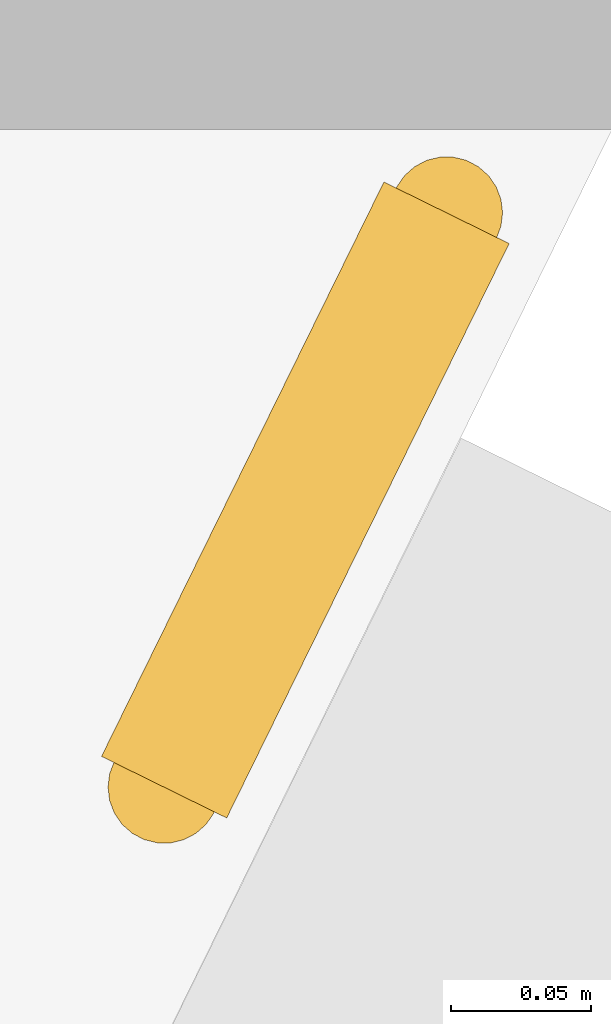
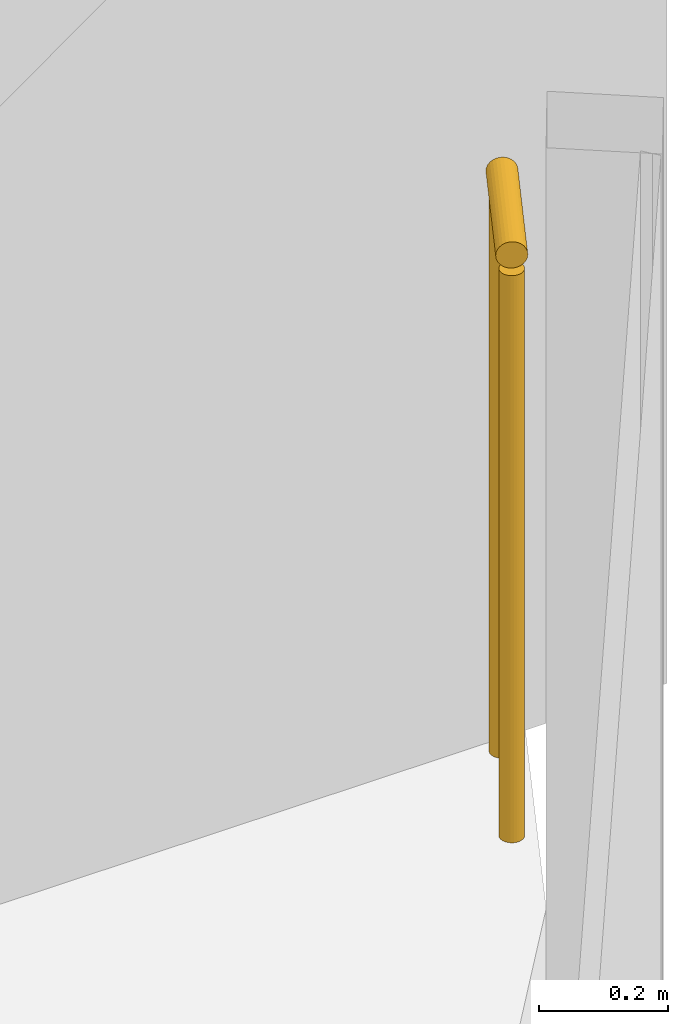
# One storey, part 35 of 38: 1 railing.
"""IFC4 building model written with IfcOpenShell, lengths in metres."""

from ifc_helpers import new_model, si_unit, direction, frame, origin, origin_2d, place, context, subcontext, project, spatial, circle, extrude, material, type_object, element, save


model = new_model("IFC4")

# Units and contexts
model_context = context("Model", 3, precision=1e-05, world=origin(), true_north=direction((0.0, 1.0)))
body_context = subcontext(model_context, "Body", "Model", "MODEL_VIEW")
ifc_project = project(units=[si_unit("LENGTHUNIT", "METRE"), si_unit("AREAUNIT", "SQUARE_METRE"), si_unit("VOLUMEUNIT", "CUBIC_METRE"), si_unit("PLANEANGLEUNIT", "RADIAN"), si_unit("MASSUNIT", "GRAM", prefix="KILO")], contexts=[model_context])

# Site, building, storey
site_placement = place(None, origin())
site = spatial("IfcSite", under=ifc_project, at=site_placement, CompositionType="ELEMENT")
building_placement = place(site_placement, origin())
building = spatial("IfcBuilding", under=site, at=building_placement, Name="Orlundy Tower", CompositionType="ELEMENT")
storey_placement = place(building_placement, frame((0.0, 0.0, 62.300048828125)))
storey = spatial("IfcBuildingStorey", under=building, at=storey_placement, Name="L14", CompositionType="ELEMENT", Elevation=62.300048828125)

# Railing
ifc_material = material(Name="Stainless steel bronze finish", Category="steel")
railing_type = type_object("IfcRailingType", Name="TG1 terrace guard", PredefinedType="GUARDRAIL", material=ifc_material)
railing_placement = place(storey_placement, frame((49.822021484375, -35.700927734375, 0.0)))
element("IfcRailing", 1, at=railing_placement, inside=storey, type_object=railing_type, Name="Guard TG-L14-E00", PredefinedType="GUARDRAIL", context=body_context, shape_type="SweptSolid", body=[
    extrude(circle(Radius=0.02490234375, at=origin_2d()), frame((0.0, 0.0, 1.09521484375), z_axis=(-0.441220934431, -0.897398510707, 0.0), x_axis=(0.897398510707, -0.441220934431, 0.0)), (0.0, 0.0, 1.0), 0.228515625),
    extrude(circle(Radius=0.02001953125, at=origin_2d()), origin(), (0.0, 0.0, 1.0), 1.070068359375),
    extrude(circle(Radius=0.02001953125, at=origin_2d()), frame((-0.100830078125, -0.205078125, 0.0)), (0.0, 0.0, 1.0), 1.070068359375),
])

save(model, "model.ifc")
